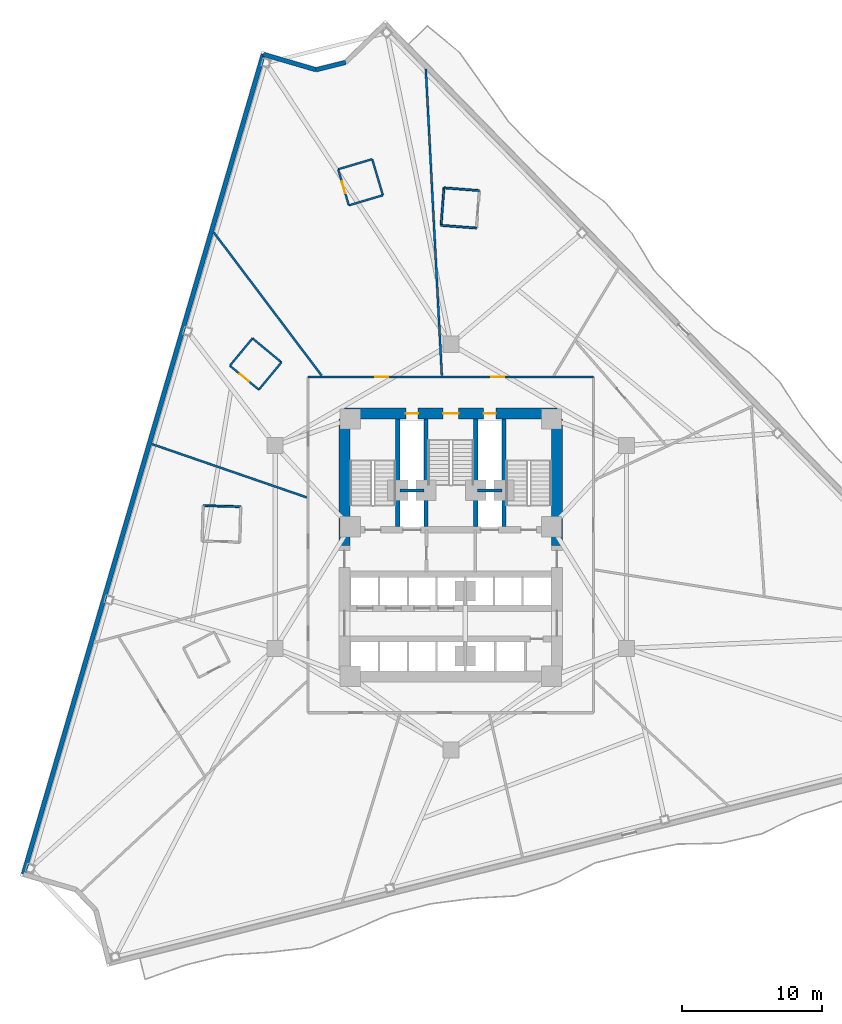
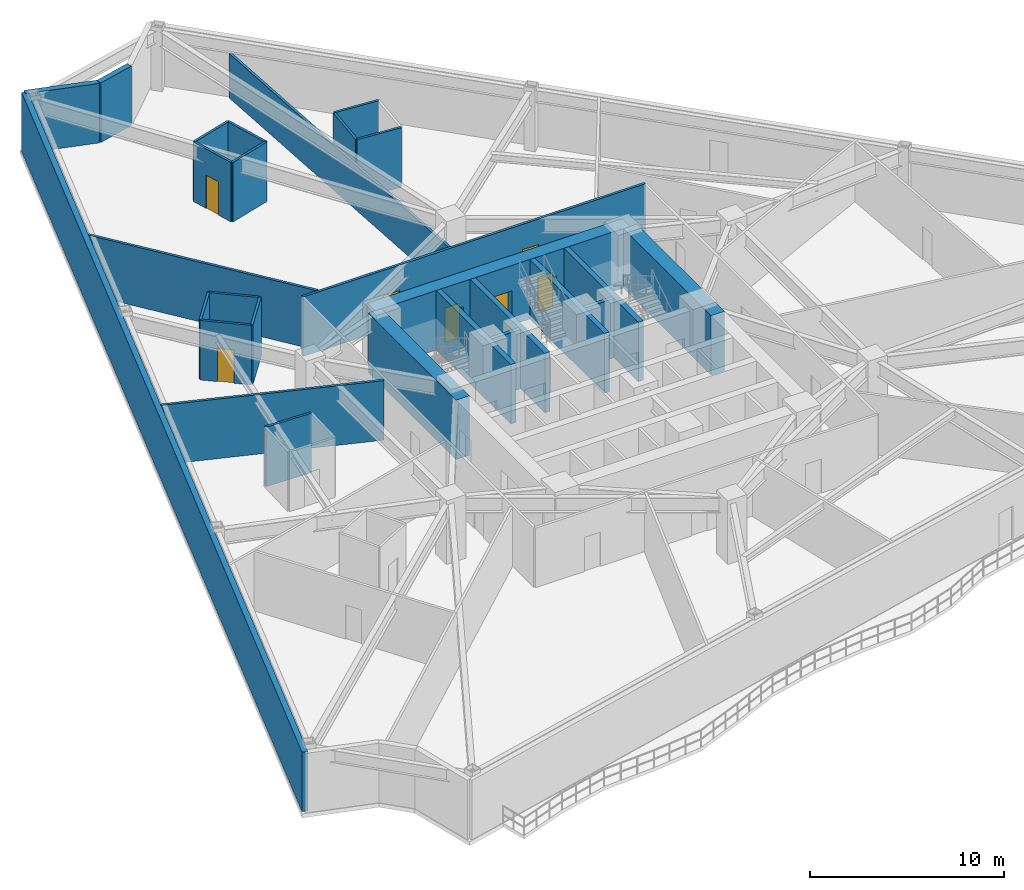
# One storey, part 5 of 9: 28 walls, 7 doors, 7 openings.
"""IFC4 building model written with IfcOpenShell, lengths in metres."""

from ifc_helpers import new_model, si_unit, direction, frame, frame_2d, origin, place, context, subcontext, project, spatial, rectangle, extrude, material, layer, layer_set, type_object, element, fill, save


model = new_model("IFC4")

# Units and contexts
model_context = context("Model", 3, precision=1e-05, world=origin(), true_north=direction((0.0, 1.0)))
body_context = subcontext(model_context, "Body", "Model", "MODEL_VIEW")
ifc_project = project(units=[si_unit("LENGTHUNIT", "METRE"), si_unit("AREAUNIT", "SQUARE_METRE"), si_unit("VOLUMEUNIT", "CUBIC_METRE"), si_unit("PLANEANGLEUNIT", "RADIAN"), si_unit("MASSUNIT", "GRAM", prefix="KILO")], contexts=[model_context])

# Site, building, storey
site_placement = place(None, origin())
site = spatial("IfcSite", under=ifc_project, at=site_placement, CompositionType="ELEMENT")
building_placement = place(site_placement, origin())
building = spatial("IfcBuilding", under=site, at=building_placement, Name="Apsidion Concourse Tower", CompositionType="ELEMENT")
storey_placement = place(building_placement, frame((0.0, 0.0, 111.0)))
storey = spatial("IfcBuildingStorey", under=building, at=storey_placement, Name="L25", CompositionType="ELEMENT", Elevation=111.0)

# Walls
ifc_material_1 = material(Name="Precast concrete C40/50", Category="concrete")
ifc_layer_1 = layer(ifc_material_1, 0.320068359375)
ifc_layer_set_1 = layer_set([ifc_layer_1], Name="Precast concrete C40/50")
wall_type_1 = type_object("IfcWallType", Name="WL-EXT-320", PredefinedType="STANDARD", material=ifc_layer_set_1)
wall_1_placement = place(storey_placement, frame((-30.55908203125, -23.389404296875, 0.0), z_axis=(0.0, 0.0, 1.0), x_axis=(0.280769703207, 0.95977516834, 0.0)))
element("IfcWall", 1, at=wall_1_placement, inside=storey, type_object=wall_type_1, Name="L25 Precast Stone Facade Wall 09", PredefinedType="STANDARD", context=body_context, shape_type="SweptSolid", body=[
    extrude(rectangle(XDim=61.07568359375, YDim=0.320068359375, at=frame_2d((30.537841796875, 0.0))), origin(), (0.0, 0.0, 1.0), 3.75),
])
wall_2_placement = place(storey_placement, frame((-13.410888671875, 35.2294921875, 0.0), z_axis=(0.0, 0.0, 1.0), x_axis=(0.959788404321, -0.280724453747, 0.0)))
element("IfcWall", 2, at=wall_2_placement, inside=storey, type_object=wall_type_1, Name="L25 Precast Stone Facade Wall 10", PredefinedType="STANDARD", context=body_context, shape_type="SweptSolid", body=[
    extrude(rectangle(XDim=3.93359375, YDim=0.320068359375, at=frame_2d((1.966796875, 0.0))), origin(), (0.0, 0.0, 1.0), 3.75),
])
wall_3_placement = place(storey_placement, frame((-9.635498046875, 34.125244140625, 0.0), z_axis=(0.0, 0.0, 1.0), x_axis=(0.970306423964, 0.241878985475, 0.0)))
element("IfcWall", 3, at=wall_3_placement, inside=storey, type_object=wall_type_1, Name="L25 Precast Stone Facade Wall 11", PredefinedType="STANDARD", context=body_context, shape_type="SweptSolid", body=[
    extrude(rectangle(XDim=2.187255859375, YDim=0.320068359375, at=frame_2d((1.09375, 0.0))), origin(), (0.0, 0.0, 1.0), 3.75),
])
ifc_material_2 = material(Name="Gypsum plasterboard partition")
ifc_layer_2 = layer(ifc_material_2, 0.139892578125)
ifc_layer_set_2 = layer_set([ifc_layer_2], Name="Gypsum plasterboard partition")
wall_type_2 = type_object("IfcWallType", Name="WL-INT-PAR-140", PredefinedType="PARTITIONING", material=ifc_layer_set_2)
wall_4_placement = place(storey_placement, frame((2.04052734375, 25.48828125, 0.0), z_axis=(0.0, 0.0, 1.0), x_axis=(-0.997046564476, 0.076799402778, 0.0)))
element("IfcWall", 4, at=wall_4_placement, inside=storey, type_object=wall_type_2, Name="L25 Interior Partition WL-L25-POD-ENS07-S2", PredefinedType="PARTITIONING", context=body_context, shape_type="SweptSolid", body=[
    extrude(rectangle(XDim=2.5400390625, YDim=0.139892578125, at=frame_2d((1.27001953125, 0.0))), origin(), (0.0, 0.0, 1.0), 3.75),
])
wall_5_placement = place(storey_placement, frame((-0.491943359375, 25.683349609375, 0.0), z_axis=(0.0, 0.0, 1.0), x_axis=(-0.076689558651, -0.997055019341, 0.0)))
element("IfcWall", 5, at=wall_5_placement, inside=storey, type_object=wall_type_2, Name="L25 Interior Partition WL-L25-POD-ENS07-S3", PredefinedType="PARTITIONING", context=body_context, shape_type="SweptSolid", body=[
    extrude(rectangle(XDim=2.68994140625, YDim=0.139892578125, at=frame_2d((1.344970703125, 0.0))), origin(), (0.0, 0.0, 1.0), 3.75),
])
wall_6_placement = place(storey_placement, frame((-0.6982421875, 23.001220703125, 0.0), z_axis=(0.0, 0.0, 1.0), x_axis=(0.997053920062, -0.076703849244, 0.0)))
element("IfcWall", 6, at=wall_6_placement, inside=storey, type_object=wall_type_2, Name="L25 Interior Partition WL-L25-POD-ENS07-S4", PredefinedType="PARTITIONING", context=body_context, shape_type="SweptSolid", body=[
    extrude(rectangle(XDim=2.5400390625, YDim=0.139892578125, at=frame_2d((1.27001953125, 0.0))), origin(), (0.0, 0.0, 1.0), 3.75),
])
wall_7_placement = place(storey_placement, frame((-4.85888671875, 25.152587890625, 0.0), z_axis=(0.0, 0.0, 1.0), x_axis=(-0.283973996327, 0.958831981846, 0.0)))
element("IfcWall", 7, at=wall_7_placement, inside=storey, type_object=wall_type_2, Name="L25 Interior Partition WL-L25-POD-ENS08-S1", PredefinedType="PARTITIONING", context=body_context, shape_type="SweptSolid", body=[
    extrude(rectangle(XDim=2.690185546875, YDim=0.139892578125, at=frame_2d((1.34521484375, 0.0))), origin(), (0.0, 0.0, 1.0), 3.75),
])
wall_8_placement = place(storey_placement, frame((-5.622802734375, 27.73193359375, 0.0), z_axis=(0.0, 0.0, 1.0), x_axis=(-0.95881265696, -0.284039238227, 0.0)))
element("IfcWall", 8, at=wall_8_placement, inside=storey, type_object=wall_type_2, Name="L25 Interior Partition WL-L25-POD-ENS08-S2", PredefinedType="PARTITIONING", context=body_context, shape_type="SweptSolid", body=[
    extrude(rectangle(XDim=2.539794921875, YDim=0.139892578125, at=frame_2d((1.27001953125, 0.0))), origin(), (0.0, 0.0, 1.0), 3.75),
])

# Wall, opening, door
wall_9_placement = place(storey_placement, frame((-8.05810546875, 27.010498046875, 0.0), z_axis=(0.0, 0.0, 1.0), x_axis=(0.283973996327, -0.958831981846, 0.0)))
wall_9 = element("IfcWall", 9, at=wall_9_placement, inside=storey, type_object=wall_type_2, Name="L25 Interior Partition WL-L25-POD-ENS08-S3", PredefinedType="PARTITIONING", context=body_context, shape_type="SweptSolid", body=[
    extrude(rectangle(XDim=2.690185546875, YDim=0.139892578125, at=frame_2d((1.34521484375, 0.0))), origin(), (0.0, 0.0, 1.0), 3.75),
])
opening_1_placement = place(wall_9_placement, frame((0.905029296875, 0.0, 0.0)))
opening_1 = element("IfcOpeningElement", 10, at=opening_1_placement, cuts=wall_9, Name="Opening D-03L", PredefinedType="OPENING", context=body_context, shape_type="SweptSolid", body=[
    extrude(rectangle(XDim=0.8798828125, YDim=2.10009765625, at=frame_2d((0.43994140625, 1.050048828125))), frame((0.0, 0.080078125, 0.0), z_axis=(0.0, -1.0, 0.0), x_axis=(1.0, 0.0, 0.0)), (0.0, 0.0, 1.0), 0.159912109375),
])
ifc_material_3 = material(Name="Anodised aluminium EN AW-6063 T6", Category="aluminium")
door_type_1 = type_object("IfcDoorType", Name="DR-INT-D03L", OperationType="SINGLE_SWING_LEFT", PredefinedType="DOOR", material=ifc_material_3)
door_1_placement = place(opening_1_placement, origin())
door_1 = element("IfcDoor", 11, at=door_1_placement, inside=storey, type_object=door_type_1, Name="L25 Guest En-Suite Bathroom Door ENS08", OperationType="SINGLE_SWING_LEFT", OverallHeight=2.10009765625, OverallWidth=0.8798828125, PredefinedType="DOOR", context=body_context, shape_type="SweptSolid", body=[
    extrude(rectangle(XDim=0.8798828125, YDim=2.10009765625, at=frame_2d((0.43994140625, 1.050048828125))), frame((0.0, 0.02490234375, 0.0), z_axis=(0.0, -1.0, 0.0), x_axis=(1.0, 0.0, 0.0)), (0.0, 0.0, 1.0), 0.050048828125),
])
fill(opening_1, door_1)

# Walls
wall_10_placement = place(storey_placement, frame((-7.294189453125, 24.43115234375, 0.0), z_axis=(0.0, 0.0, 1.0), x_axis=(0.95881265696, 0.284039238227, 0.0)))
element("IfcWall", 12, at=wall_10_placement, inside=storey, type_object=wall_type_2, Name="L25 Interior Partition WL-L25-POD-ENS08-S4", PredefinedType="PARTITIONING", context=body_context, shape_type="SweptSolid", body=[
    extrude(rectangle(XDim=2.539794921875, YDim=0.139892578125, at=frame_2d((1.27001953125, 0.0))), origin(), (0.0, 0.0, 1.0), 3.75),
])
wall_11_placement = place(storey_placement, frame((-12.110107421875, 13.20654296875, 0.0), z_axis=(0.0, 0.0, 1.0), x_axis=(-0.770537260361, 0.637394956362, 0.0)))
element("IfcWall", 13, at=wall_11_placement, inside=storey, type_object=wall_type_2, Name="L25 Interior Partition WL-L25-POD-ENS09-S1", PredefinedType="PARTITIONING", context=body_context, shape_type="SweptSolid", body=[
    extrude(rectangle(XDim=2.68994140625, YDim=0.139892578125, at=frame_2d((1.344970703125, 0.0))), origin(), (0.0, 0.0, 1.0), 3.75),
])
wall_12_placement = place(storey_placement, frame((-14.182861328125, 14.921142578125, 0.0), z_axis=(0.0, 0.0, 1.0), x_axis=(-0.63745754777, -0.770485479935, 0.0)))
element("IfcWall", 14, at=wall_12_placement, inside=storey, type_object=wall_type_2, Name="L25 Interior Partition WL-L25-POD-ENS09-S2", PredefinedType="PARTITIONING", context=body_context, shape_type="SweptSolid", body=[
    extrude(rectangle(XDim=2.5400390625, YDim=0.139892578125, at=frame_2d((1.27001953125, 0.0))), origin(), (0.0, 0.0, 1.0), 3.75),
])

# Wall, opening, door
wall_13_placement = place(storey_placement, frame((-15.802001953125, 12.964111328125, 0.0), z_axis=(0.0, 0.0, 1.0), x_axis=(0.770537260361, -0.637394956362, 0.0)))
wall_13 = element("IfcWall", 15, at=wall_13_placement, inside=storey, type_object=wall_type_2, Name="L25 Interior Partition WL-L25-POD-ENS09-S3", PredefinedType="PARTITIONING", context=body_context, shape_type="SweptSolid", body=[
    extrude(rectangle(XDim=2.68994140625, YDim=0.139892578125, at=frame_2d((1.344970703125, 0.0))), origin(), (0.0, 0.0, 1.0), 3.75),
])
opening_2_placement = place(wall_13_placement, frame((0.905029296875, 0.0, 0.0)))
opening_2 = element("IfcOpeningElement", 16, at=opening_2_placement, cuts=wall_13, Name="Opening D-03R", PredefinedType="OPENING", context=body_context, shape_type="SweptSolid", body=[
    extrude(rectangle(XDim=0.8798828125, YDim=2.10009765625, at=frame_2d((0.43994140625, 1.050048828125))), frame((0.0, 0.080078125, 0.0), z_axis=(0.0, -1.0, 0.0), x_axis=(1.0, 0.0, 0.0)), (0.0, 0.0, 1.0), 0.159912109375),
])
door_type_2 = type_object("IfcDoorType", Name="DR-INT-D03R", OperationType="SINGLE_SWING_RIGHT", PredefinedType="DOOR", material=ifc_material_3)
door_2_placement = place(opening_2_placement, origin())
door_2 = element("IfcDoor", 17, at=door_2_placement, inside=storey, type_object=door_type_2, Name="L25 Guest En-Suite Bathroom Door ENS09", OperationType="SINGLE_SWING_RIGHT", OverallHeight=2.10009765625, OverallWidth=0.8798828125, PredefinedType="DOOR", context=body_context, shape_type="SweptSolid", body=[
    extrude(rectangle(XDim=0.8798828125, YDim=2.10009765625, at=frame_2d((0.43994140625, 1.050048828125))), frame((0.0, 0.02490234375, 0.0), z_axis=(0.0, -1.0, 0.0), x_axis=(1.0, 0.0, 0.0)), (0.0, 0.0, 1.0), 0.050048828125),
])
fill(opening_2, door_2)

# Walls
wall_14_placement = place(storey_placement, frame((-13.729248046875, 11.24951171875, 0.0), z_axis=(0.0, 0.0, 1.0), x_axis=(0.63745754777, 0.770485479935, 0.0)))
element("IfcWall", 18, at=wall_14_placement, inside=storey, type_object=wall_type_2, Name="L25 Interior Partition WL-L25-POD-ENS09-S4", PredefinedType="PARTITIONING", context=body_context, shape_type="SweptSolid", body=[
    extrude(rectangle(XDim=2.5400390625, YDim=0.139892578125, at=frame_2d((1.27001953125, 0.0))), origin(), (0.0, 0.0, 1.0), 3.75),
])
wall_15_placement = place(storey_placement, frame((-15.022216796875, 2.884521484375, 0.0), z_axis=(0.0, 0.0, 1.0), x_axis=(-0.999609225093, 0.027953481145, 0.0)))
element("IfcWall", 19, at=wall_15_placement, inside=storey, type_object=wall_type_2, Name="L25 Interior Partition WL-L25-POD-ENS10-S1", PredefinedType="PARTITIONING", context=body_context, shape_type="SweptSolid", body=[
    extrude(rectangle(XDim=2.68994140625, YDim=0.139892578125, at=frame_2d((1.344970703125, 0.0))), origin(), (0.0, 0.0, 1.0), 3.75),
])

# Wall, openings, doors
ifc_layer_3 = layer(ifc_material_2, 0.14990234375)
ifc_layer_set_3 = layer_set([ifc_layer_3], Name="Gypsum plasterboard partition")
wall_type_3 = type_object("IfcWallType", Name="WL-INT-PAR-150", PredefinedType="PARTITIONING", material=ifc_layer_set_3)
wall_16_placement = place(storey_placement, frame((-10.199951171875, 12.14990234375, 0.0), z_axis=(0.0, 0.0, 1.0), x_axis=(1.0, 0.0, 0.0)))
wall_16 = element("IfcWall", 20, at=wall_16_placement, inside=storey, type_object=wall_type_3, Name="L25 Interior Partition WL-L25-CORR-01", PredefinedType="PARTITIONING", context=body_context, shape_type="SweptSolid", body=[
    extrude(rectangle(XDim=20.39990234375, YDim=0.14990234375, at=frame_2d((10.199951171875, 0.0))), origin(), (0.0, 0.0, 1.0), 3.75),
])
opening_3_placement = place(wall_16_placement, frame((13.080810546875, 0.0, 0.0)))
opening_3 = element("IfcOpeningElement", 21, at=opening_3_placement, cuts=wall_16, Name="Opening D-01R", PredefinedType="OPENING", context=body_context, shape_type="SweptSolid", body=[
    extrude(rectangle(XDim=0.949951171875, YDim=2.14990234375, at=frame_2d((0.47509765625, 1.074951171875))), frame((0.0, 0.0849609375, 0.0), z_axis=(0.0, -1.0, 0.0), x_axis=(1.0, 0.0, 0.0)), (0.0, 0.0, 1.0), 0.169921875),
])
opening_4_placement = place(wall_16_placement, frame((4.7880859375, 0.0, 0.0)))
opening_4 = element("IfcOpeningElement", 22, at=opening_4_placement, cuts=wall_16, Name="Opening D-01L", PredefinedType="OPENING", context=body_context, shape_type="SweptSolid", body=[
    extrude(rectangle(XDim=0.949951171875, YDim=2.14990234375, at=frame_2d((0.47509765625, 1.074951171875))), frame((0.0, 0.0849609375, 0.0), z_axis=(0.0, -1.0, 0.0), x_axis=(1.0, 0.0, 0.0)), (0.0, 0.0, 1.0), 0.169921875),
])
ifc_material_4 = material(Name="Brushed stainless steel 316", Category="steel")
door_type_3 = type_object("IfcDoorType", Name="DR-INT-D01L", OperationType="SINGLE_SWING_LEFT", PredefinedType="DOOR", material=ifc_material_4)
door_3_placement = place(opening_4_placement, origin())
door_3 = element("IfcDoor", 23, at=door_3_placement, inside=storey, type_object=door_type_3, Name="L25 Corridor Entry Door 09", OperationType="SINGLE_SWING_LEFT", OverallHeight=2.14990234375, OverallWidth=0.949951171875, PredefinedType="DOOR", context=body_context, shape_type="SweptSolid", body=[
    extrude(rectangle(XDim=0.949951171875, YDim=2.14990234375, at=frame_2d((0.47509765625, 1.074951171875))), frame((0.0, 0.02490234375, 0.0), z_axis=(0.0, -1.0, 0.0), x_axis=(1.0, 0.0, 0.0)), (0.0, 0.0, 1.0), 0.050048828125),
])
fill(opening_4, door_3)
door_type_4 = type_object("IfcDoorType", Name="DR-INT-D01R", OperationType="SINGLE_SWING_RIGHT", PredefinedType="DOOR", material=ifc_material_4)
door_4_placement = place(opening_3_placement, origin())
door_4 = element("IfcDoor", 24, at=door_4_placement, inside=storey, type_object=door_type_4, Name="L25 Corridor Entry Door 08", OperationType="SINGLE_SWING_RIGHT", OverallHeight=2.14990234375, OverallWidth=0.949951171875, PredefinedType="DOOR", context=body_context, shape_type="SweptSolid", body=[
    extrude(rectangle(XDim=0.949951171875, YDim=2.14990234375, at=frame_2d((0.47509765625, 1.074951171875))), frame((0.0, 0.02490234375, 0.0), z_axis=(0.0, -1.0, 0.0), x_axis=(1.0, 0.0, 0.0)), (0.0, 0.0, 1.0), 0.050048828125),
])
fill(opening_3, door_4)

# Walls
wall_17_placement = place(storey_placement, frame((-0.642333984375, 12.2548828125, 0.0), z_axis=(0.0, 0.0, 1.0), x_axis=(-0.052336972547, 0.998629481492, 0.0)))
element("IfcWall", 25, at=wall_17_placement, inside=storey, type_object=wall_type_3, Name="L25 Interior Partition WL-L25-RAD-03-1", PredefinedType="PARTITIONING", context=body_context, shape_type="SweptSolid", body=[
    extrude(rectangle(XDim=21.94775390625, YDim=0.14990234375, at=frame_2d((10.973876953125, 0.0))), origin(), (0.0, 0.0, 1.0), 2.798095703125),
])
wall_18_placement = place(storey_placement, frame((-9.23486328125, 12.2548828125, 0.0), z_axis=(0.0, 0.0, 1.0), x_axis=(-0.60180765782, 0.79864106017, 0.0)))
element("IfcWall", 26, at=wall_18_placement, inside=storey, type_object=wall_type_3, Name="L25 Interior Partition WL-L25-RAD-04-1", PredefinedType="PARTITIONING", context=body_context, shape_type="SweptSolid", body=[
    extrude(rectangle(XDim=12.8251953125, YDim=0.14990234375, at=frame_2d((6.41259765625, 0.0))), origin(), (0.0, 0.0, 1.0), 3.75),
])
wall_19_placement = place(storey_placement, frame((-10.304931640625, 3.54833984375, 0.0), z_axis=(0.0, 0.0, 1.0), x_axis=(-0.945517077529, 0.325572505138, 0.0)))
element("IfcWall", 27, at=wall_19_placement, inside=storey, type_object=wall_type_3, Name="L25 Interior Partition WL-L25-RAD-05-1", PredefinedType="PARTITIONING", context=body_context, shape_type="SweptSolid", body=[
    extrude(rectangle(XDim=11.7138671875, YDim=0.14990234375, at=frame_2d((5.85693359375, 0.0))), origin(), (0.0, 0.0, 1.0), 3.75),
])
ifc_layer_4 = layer(ifc_material_2, 0.199951171875)
ifc_layer_set_4 = layer_set([ifc_layer_4], Name="Gypsum plasterboard partition")
wall_type_4 = type_object("IfcWallType", Name="WL-INT-PAR-200", PredefinedType="PARTITIONING", material=ifc_layer_set_4)
for number, where, z_axis, x_axis, name in (
    (28, (-3.64990234375, 4.050048828125, 0.0), (0.0, 0.0, 1.0), (1.0, 0.0, 0.0), "L25 Interior Partition WL-L25-FF1-N"),
    (29, (1.919921875, 4.050048828125, 0.0), (0.0, 0.0, 1.0), (1.0, 0.0, 0.0), "L25 Interior Partition WL-L25-FF2-N"),
):
    element("IfcWall", number, at=place(storey_placement, frame(where, z_axis=z_axis, x_axis=x_axis)), inside=storey, type_object=wall_type_4, Name=name, PredefinedType="PARTITIONING", context=body_context, shape_type="SweptSolid", body=[
        extrude(rectangle(XDim=1.72998046875, YDim=0.199951171875, at=frame_2d((0.864990234375, 0.0))), origin(), (0.0, 0.0, 1.0), 3.75),
    ])
ifc_material_5 = material(Name="Concrete C50/60", Category="concrete")
ifc_layer_5 = layer(ifc_material_5, 0.300048828125)
ifc_layer_set_5 = layer_set([ifc_layer_5], Name="Concrete C50/60")
wall_type_5 = type_object("IfcWallType", Name="WL-SH-300", PredefinedType="SHEAR", material=ifc_layer_set_5)
for number, where, z_axis, x_axis, name in (
    (30, (-3.800048828125, 1.449951171875, 0.0), (0.0, 0.0, 1.0), (0.0, 1.0, 0.0), "L25 Central Core Shear Wall V1"),
    (31, (-1.77490234375, 1.449951171875, 0.0), (0.0, 0.0, 1.0), (0.0, 1.0, 0.0), "L25 Central Core Shear Wall V2"),
    (32, (1.77490234375, 1.449951171875, 0.0), (0.0, 0.0, 1.0), (0.0, 1.0, 0.0), "L25 Central Core Shear Wall V3"),
    (33, (3.800048828125, 1.449951171875, 0.0), (0.0, 0.0, 1.0), (0.0, 1.0, 0.0), "L25 Central Core Shear Wall V4"),
):
    element("IfcWall", number, at=place(storey_placement, frame(where, z_axis=z_axis, x_axis=x_axis)), inside=storey, type_object=wall_type_5, Name=name, PredefinedType="SHEAR", context=body_context, shape_type="SweptSolid", body=[
        extrude(rectangle(XDim=7.699951171875, YDim=0.300048828125, at=frame_2d((3.85009765625, 0.0))), origin(), (0.0, 0.0, 1.0), 3.75),
    ])

# Wall, openings, doors
ifc_material_6 = material(Name="Concrete C60/75", Category="concrete")
ifc_layer_6 = layer(ifc_material_6, 0.800048828125)
ifc_layer_set_6 = layer_set([ifc_layer_6], Name="Concrete C60/75")
wall_type_6 = type_object("IfcWallType", Name="WL-SH-800", PredefinedType="SHEAR", material=ifc_layer_set_6)
wall_20_placement = place(storey_placement, frame((-7.60009765625, 9.550048828125, 0.0), z_axis=(0.0, 0.0, 1.0), x_axis=(1.0, 0.0, 0.0)))
wall_20 = element("IfcWall", 34, at=wall_20_placement, inside=storey, type_object=wall_type_6, Name="L25 Central Core Shear Wall N", PredefinedType="SHEAR", context=body_context, shape_type="SweptSolid", body=[
    extrude(rectangle(XDim=15.2001953125, YDim=0.800048828125, at=frame_2d((7.60009765625, 0.0))), origin(), (0.0, 0.0, 1.0), 3.75),
])
opening_5_placement = place(wall_20_placement, frame((7.050048828125, 0.0, 0.0)))
opening_5 = element("IfcOpeningElement", 35, at=opening_5_placement, cuts=wall_20, Name="Opening D-STL", PredefinedType="OPENING", context=body_context, shape_type="SweptSolid", body=[
    extrude(rectangle(XDim=1.10009765625, YDim=2.14990234375, at=frame_2d((0.550048828125, 1.074951171875))), frame((0.0, 0.41015625, 0.0), z_axis=(0.0, -1.0, 0.0), x_axis=(1.0, 0.0, 0.0)), (0.0, 0.0, 1.0), 0.820068359375),
])
opening_6_placement = place(wall_20_placement, frame((4.3798828125, 0.0, 0.0)))
opening_6 = element("IfcOpeningElement", 36, at=opening_6_placement, cuts=wall_20, Name="Opening D-05L", PredefinedType="OPENING", context=body_context, shape_type="SweptSolid", body=[
    extrude(rectangle(XDim=0.8798828125, YDim=2.14990234375, at=frame_2d((0.43994140625, 1.074951171875))), frame((0.0, 0.41015625, 0.0), z_axis=(0.0, -1.0, 0.0), x_axis=(1.0, 0.0, 0.0)), (0.0, 0.0, 1.0), 0.820068359375),
])
opening_7_placement = place(wall_20_placement, frame((9.93994140625, 0.0, 0.0)))
opening_7 = element("IfcOpeningElement", 37, at=opening_7_placement, cuts=wall_20, Name="Opening D-05R", PredefinedType="OPENING", context=body_context, shape_type="SweptSolid", body=[
    extrude(rectangle(XDim=0.8798828125, YDim=2.14990234375, at=frame_2d((0.43994140625, 1.074951171875))), frame((0.0, 0.41015625, 0.0), z_axis=(0.0, -1.0, 0.0), x_axis=(1.0, 0.0, 0.0)), (0.0, 0.0, 1.0), 0.820068359375),
])
door_type_5 = type_object("IfcDoorType", Name="DR-INT-D05L", OperationType="SINGLE_SWING_LEFT", PredefinedType="DOOR", material=ifc_material_4)
door_5_placement = place(opening_6_placement, origin())
door_5 = element("IfcDoor", 38, at=door_5_placement, inside=storey, type_object=door_type_5, Name="L25 Electrical Riser Shaft Access Door", OperationType="SINGLE_SWING_LEFT", OverallHeight=2.14990234375, OverallWidth=0.8798828125, PredefinedType="DOOR", context=body_context, shape_type="SweptSolid", body=[
    extrude(rectangle(XDim=0.8798828125, YDim=2.14990234375, at=frame_2d((0.43994140625, 1.074951171875))), frame((0.0, 0.02490234375, 0.0), z_axis=(0.0, -1.0, 0.0), x_axis=(1.0, 0.0, 0.0)), (0.0, 0.0, 1.0), 0.050048828125),
])
fill(opening_6, door_5)
door_type_6 = type_object("IfcDoorType", Name="DR-INT-D05R", OperationType="SINGLE_SWING_RIGHT", PredefinedType="DOOR", material=ifc_material_4)
door_6_placement = place(opening_7_placement, origin())
door_6 = element("IfcDoor", 39, at=door_6_placement, inside=storey, type_object=door_type_6, Name="L25 Mechanical Riser Shaft Access Door", OperationType="SINGLE_SWING_RIGHT", OverallHeight=2.14990234375, OverallWidth=0.8798828125, PredefinedType="DOOR", context=body_context, shape_type="SweptSolid", body=[
    extrude(rectangle(XDim=0.8798828125, YDim=2.14990234375, at=frame_2d((0.43994140625, 1.074951171875))), frame((0.0, 0.02490234375, 0.0), z_axis=(0.0, -1.0, 0.0), x_axis=(1.0, 0.0, 0.0)), (0.0, 0.0, 1.0), 0.050048828125),
])
fill(opening_7, door_6)
door_type_7 = type_object("IfcDoorType", Name="DR-INT-ST1L", OperationType="SINGLE_SWING_LEFT", PredefinedType="DOOR", material=ifc_material_4)
door_7_placement = place(opening_5_placement, origin())
door_7 = element("IfcDoor", 40, at=door_7_placement, inside=storey, type_object=door_type_7, Name="L25 Core Exit Stair ST3 Door", OperationType="SINGLE_SWING_LEFT", OverallHeight=2.14990234375, OverallWidth=1.10009765625, PredefinedType="DOOR", context=body_context, shape_type="SweptSolid", body=[
    extrude(rectangle(XDim=1.10009765625, YDim=2.14990234375, at=frame_2d((0.550048828125, 1.074951171875))), frame((0.0, 0.02490234375, 0.0), z_axis=(0.0, -1.0, 0.0), x_axis=(1.0, 0.0, 0.0)), (0.0, 0.0, 1.0), 0.050048828125),
])
fill(opening_5, door_7)

# Walls
for number, where, z_axis, x_axis, name in (
    (41, (-7.60009765625, 0.10009765625, 0.0), (0.0, 0.0, 1.0), (0.0, 1.0, 0.0), "L25 Central Core Shear Wall WN"),
    (42, (7.60009765625, 0.10009765625, 0.0), (0.0, 0.0, 1.0), (0.0, 1.0, 0.0), "L25 Central Core Shear Wall EN"),
):
    element("IfcWall", number, at=place(storey_placement, frame(where, z_axis=z_axis, x_axis=x_axis)), inside=storey, type_object=wall_type_6, Name=name, PredefinedType="SHEAR", context=body_context, shape_type="SweptSolid", body=[
        extrude(rectangle(XDim=9.0498046875, YDim=0.800048828125, at=frame_2d((4.52490234375, 0.0))), origin(), (0.0, 0.0, 1.0), 3.75),
    ])

save(model, "model.ifc")
